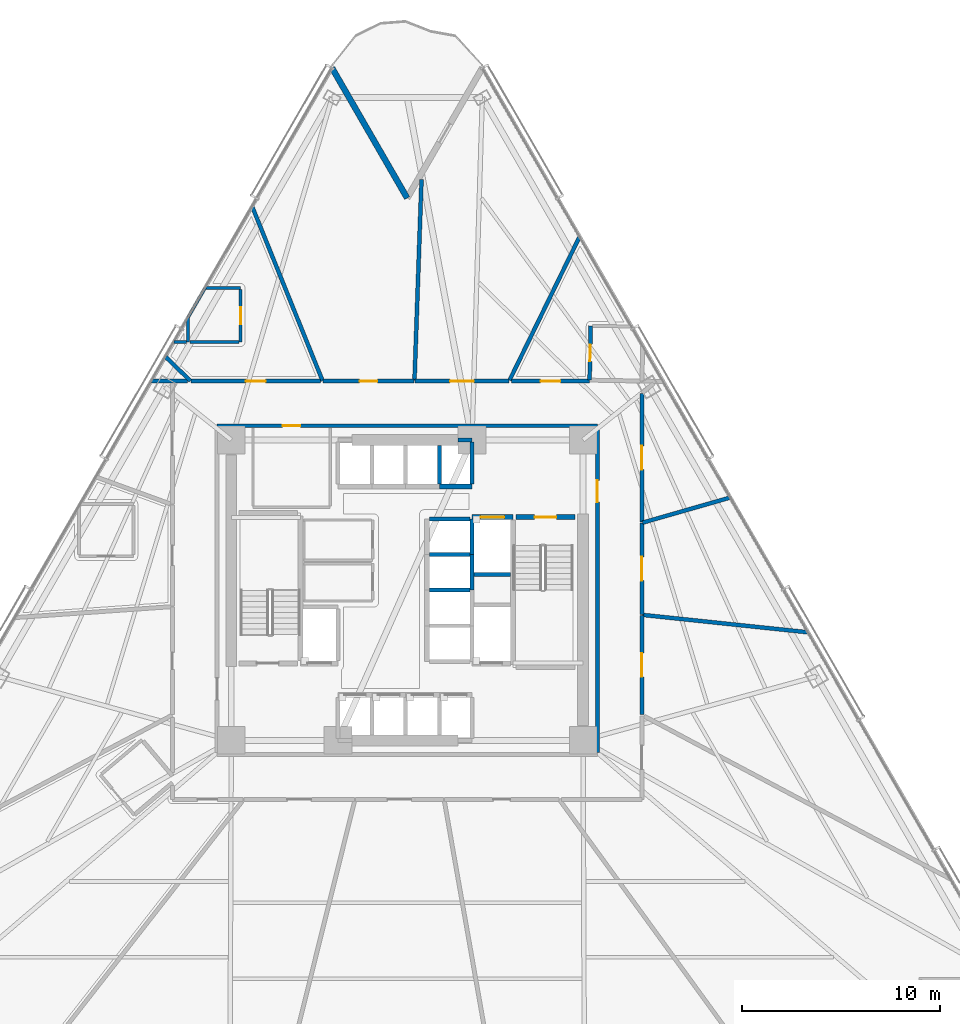
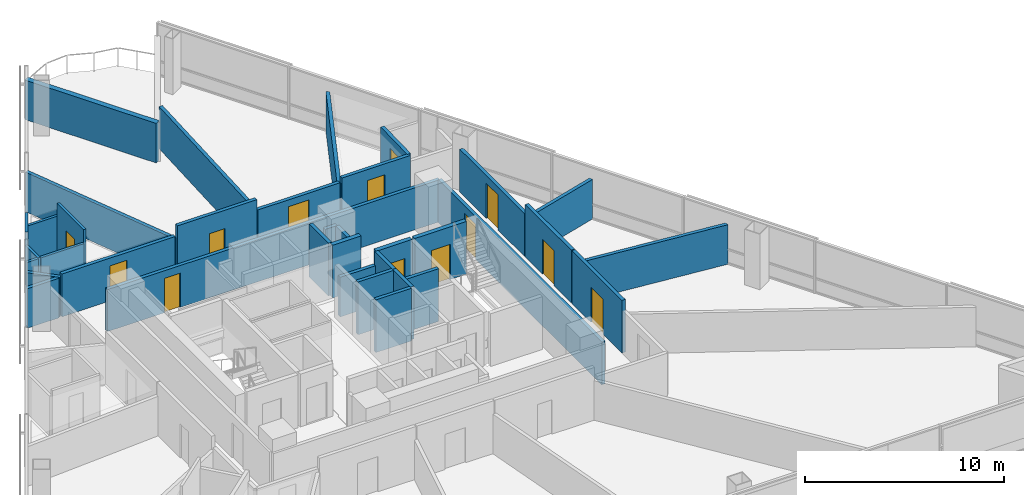
# One storey, part 9 of 16: 36 walls, 13 doors, 13 openings.
"""IFC4 building model written with IfcOpenShell, lengths in metres."""

from ifc_helpers import new_model, si_unit, direction, frame, frame_2d, origin, place, context, subcontext, project, spatial, rectangle, extrude, material, layer, layer_set, type_object, element, fill, save


model = new_model("IFC4")

# Units and contexts
model_context = context("Model", 3, precision=1e-05, world=origin(), true_north=direction((0.0, 1.0)))
body_context = subcontext(model_context, "Body", "Model", "MODEL_VIEW")
ifc_project = project(units=[si_unit("LENGTHUNIT", "METRE"), si_unit("AREAUNIT", "SQUARE_METRE"), si_unit("VOLUMEUNIT", "CUBIC_METRE"), si_unit("PLANEANGLEUNIT", "RADIAN"), si_unit("MASSUNIT", "GRAM", prefix="KILO")], contexts=[model_context])

# Site, building, storey
site_placement = place(None, origin())
site = spatial("IfcSite", under=ifc_project, at=site_placement, CompositionType="ELEMENT")
building_placement = place(site_placement, origin())
building = spatial("IfcBuilding", under=site, at=building_placement, Name="Tharavind Bronze Gate", CompositionType="ELEMENT")
storey_placement = place(building_placement, frame((0.0, 0.0, 45.449951171875)))
storey = spatial("IfcBuildingStorey", under=building, at=storey_placement, Name="L10", CompositionType="ELEMENT", Elevation=45.449951171875)

# Wall
ifc_material_1 = material(Name="Concrete C40/50", Category="concrete")
ifc_layer_1 = layer(ifc_material_1, 0.300048828125)
ifc_layer_set_1 = layer_set([ifc_layer_1], Name="Concrete C40/50")
wall_type_1 = type_object("IfcWallType", Name="EXTERIOR SPANDREL WALL 300", PredefinedType="STANDARD", material=ifc_layer_set_1)
wall_1_placement = place(storey_placement, frame((0.0, 19.83642578125, 0.0), z_axis=(0.0, 0.0, 1.0), x_axis=(-0.500005158081, 0.866022425744, 0.0)))
element("IfcWall", 1, at=wall_1_placement, inside=storey, type_object=wall_type_1, Name="L10 notch cheek wall 1B", PredefinedType="STANDARD", context=body_context, shape_type="SweptSolid", body=[
    extrude(rectangle(XDim=7.60009765625, YDim=0.300048828125, at=frame_2d((3.800048828125, 0.0))), origin(), (0.0, 0.0, 1.0), 2.420166015625),
])

# Wall, opening, door
ifc_material_2 = material(Name="Aerated Concrete Block", Category="concrete")
ifc_layer_2 = layer(ifc_material_2, 0.199951171875)
ifc_layer_set_2 = layer_set([ifc_layer_2], Name="Aerated Concrete Block")
wall_type_2 = type_object("IfcWallType", Name="FIRE RATED PARTITION 200", PredefinedType="PARTITIONING", material=ifc_layer_set_2)
wall_2_placement = place(storey_placement, frame((9.6201171875, 8.320068359375, 0.0), z_axis=(0.0, 0.0, 1.0), x_axis=(-1.0, 0.0, 0.0)))
wall_2 = element("IfcWall", 2, at=wall_2_placement, inside=storey, type_object=wall_type_2, Name="L10 north core corridor wall", PredefinedType="PARTITIONING", context=body_context, shape_type="SweptSolid", body=[
    extrude(rectangle(XDim=19.240234375, YDim=0.199951171875, at=frame_2d((9.6201171875, 0.0))), origin(), (0.0, 0.0, 1.0), 2.570068359375),
])
opening_1_placement = place(wall_2_placement, frame((15.02001953125, 0.0, 0.0)))
opening_1 = element("IfcOpeningElement", 3, at=opening_1_placement, cuts=wall_2, Name="Opening ID07", PredefinedType="OPENING", context=body_context, shape_type="SweptSolid", body=[
    extrude(rectangle(XDim=0.89990234375, YDim=2.10009765625, at=frame_2d((0.449951171875, 1.050048828125))), frame((0.0, 0.11009765625, 0.0), z_axis=(0.0, -1.0, 0.0), x_axis=(1.0, 0.0, 0.0)), (0.0, 0.0, 1.0), 0.219951171875),
])
ifc_material_3 = material(Name="Galvanised Fire Steel", Category="steel")
door_type_1 = type_object("IfcDoorType", Name="PLANT AND RISER FIRE DOOR 900X2100", OperationType="SINGLE_SWING_LEFT", PredefinedType="DOOR", material=ifc_material_3)
door_1_placement = place(opening_1_placement, frame((0.89990234375, 0.0, 0.0), z_axis=(0.0, 0.0, 1.0), x_axis=(-1.0, 0.0, 0.0)))
door_1 = element("IfcDoor", 4, at=door_1_placement, inside=storey, type_object=door_type_1, Name="L10 Electrical Switch Room fire door", OperationType="SINGLE_SWING_LEFT", OverallHeight=2.10009765625, OverallWidth=0.89990234375, PredefinedType="DOOR", context=body_context, shape_type="SweptSolid", body=[
    extrude(rectangle(XDim=0.89990234375, YDim=2.10009765625, at=frame_2d((0.449951171875, 1.050048828125))), frame((0.0, 0.02490234375, 0.0), z_axis=(0.0, -1.0, 0.0), x_axis=(1.0, 0.0, 0.0)), (0.0, 0.0, 1.0), 0.050048828125),
])
fill(opening_1, door_1)

wall_3_placement = place(storey_placement, frame((9.6201171875, -8.199951171875, 0.0), z_axis=(0.0, 0.0, 1.0), x_axis=(0.0, 1.0, 0.0)))
wall_3 = element("IfcWall", 5, at=wall_3_placement, inside=storey, type_object=wall_type_2, Name="L10 east core corridor wall", PredefinedType="PARTITIONING", context=body_context, shape_type="SweptSolid", body=[
    extrude(rectangle(XDim=16.39990234375, YDim=0.199951171875, at=frame_2d((8.199951171875, 0.0))), origin(), (0.0, 0.0, 1.0), 2.6201171875),
])
opening_2_placement = place(wall_3_placement, frame((12.64990234375, 0.0, 0.0)))
opening_2 = element("IfcOpeningElement", 6, at=opening_2_placement, cuts=wall_3, Name="Opening ID01", PredefinedType="OPENING", context=body_context, shape_type="SweptSolid", body=[
    extrude(rectangle(XDim=1.10009765625, YDim=2.14990234375, at=frame_2d((0.550048828125, 1.074951171875))), frame((0.0, 0.11009765625, 0.0), z_axis=(0.0, -1.0, 0.0), x_axis=(1.0, 0.0, 0.0)), (0.0, 0.0, 1.0), 0.219951171875),
])
ifc_material_4 = material(Name="Fire-Rated Steel", Category="steel")
door_type_2 = type_object("IfcDoorType", Name="STAIR CORE FIRE DOOR 1100X2150", OperationType="SINGLE_SWING_LEFT", PredefinedType="DOOR", material=ifc_material_4)
door_2_placement = place(opening_2_placement, frame((1.10009765625, 0.0, 0.0), z_axis=(0.0, 0.0, 1.0), x_axis=(-1.0, 0.0, 0.0)))
door_2 = element("IfcDoor", 7, at=door_2_placement, inside=storey, type_object=door_type_2, Name="L10 north east stair lobby fire door", OperationType="SINGLE_SWING_LEFT", OverallHeight=2.14990234375, OverallWidth=1.10009765625, PredefinedType="DOOR", context=body_context, shape_type="SweptSolid", body=[
    extrude(rectangle(XDim=1.10009765625, YDim=2.14990234375, at=frame_2d((0.550048828125, 1.074951171875))), frame((0.0, 0.02490234375, 0.0), z_axis=(0.0, -1.0, 0.0), x_axis=(1.0, 0.0, 0.0)), (0.0, 0.0, 1.0), 0.050048828125),
])
fill(opening_2, door_2)

wall_4_placement = place(storey_placement, frame((9.23046875, 10.627685546875, 0.0), z_axis=(0.0, 0.0, 1.0), x_axis=(0.017933538856, 0.999839181161, 0.0)))
wall_4 = element("IfcWall", 8, at=wall_4_placement, inside=storey, type_object=wall_type_2, Name="L10 En-Suite Bathroom partition", PredefinedType="PARTITIONING", context=body_context, shape_type="SweptSolid", body=[
    extrude(rectangle(XDim=2.75, YDim=0.199951171875, at=frame_2d((1.375, 0.0))), origin(), (0.0, 0.0, 1.0), 2.820068359375),
])
opening_3_placement = place(wall_4_placement, frame((0.949951171875, 0.0, 0.0)))
opening_3 = element("IfcOpeningElement", 9, at=opening_3_placement, cuts=wall_4, Name="Opening ID06", PredefinedType="OPENING", context=body_context, shape_type="SweptSolid", body=[
    extrude(rectangle(XDim=0.85009765625, YDim=2.10009765625, at=frame_2d((0.425048828125, 1.050048828125))), frame((0.0, 0.11009765625, 0.0), z_axis=(0.0, -1.0, 0.0), x_axis=(1.0, 0.0, 0.0)), (0.0, 0.0, 1.0), 0.219951171875),
])
ifc_material_5 = material(Name="Moisture-Resistant Timber", Category="wood")
door_type_3 = type_object("IfcDoorType", Name="BATHROOM PRIVACY DOOR 850X2100", OperationType="SINGLE_SWING_RIGHT", PredefinedType="DOOR", material=ifc_material_5)
door_3_placement = place(opening_3_placement, origin())
door_3 = element("IfcDoor", 10, at=door_3_placement, inside=storey, type_object=door_type_3, Name="L10 En-Suite Bathroom door", OperationType="SINGLE_SWING_RIGHT", OverallHeight=2.10009765625, OverallWidth=0.85009765625, PredefinedType="DOOR", context=body_context, shape_type="SweptSolid", body=[
    extrude(rectangle(XDim=0.85009765625, YDim=2.10009765625, at=frame_2d((0.425048828125, 1.050048828125))), frame((0.0, 0.02490234375, 0.0), z_axis=(0.0, -1.0, 0.0), x_axis=(1.0, 0.0, 0.0)), (0.0, 0.0, 1.0), 0.050048828125),
])
fill(opening_3, door_3)

# Wall
wall_5_placement = place(storey_placement, frame((16.346435546875, 4.687255859375, 0.0), z_axis=(0.0, 0.0, 1.0), x_axis=(-0.9612679101, -0.275615683539, 0.0)))
element("IfcWall", 11, at=wall_5_placement, inside=storey, type_object=wall_type_2, Name="L10 Hotel Guest Lounge partition", PredefinedType="PARTITIONING", context=body_context, shape_type="SweptSolid", body=[
    extrude(rectangle(XDim=4.61328125, YDim=0.199951171875, at=frame_2d((2.306640625, 0.0))), origin(), (0.0, 0.0, 1.0), 2.420166015625),
])

# Wall, opening, door
wall_6_placement = place(storey_placement, frame((11.8798828125, 3.439697265625, 0.0), z_axis=(0.0, 0.0, 1.0), x_axis=(0.0, 1.0, 0.0)))
wall_6 = element("IfcWall", 12, at=wall_6_placement, inside=storey, type_object=wall_type_2, Name="L10 Hotel Guest Lounge partition", PredefinedType="PARTITIONING", context=body_context, shape_type="SweptSolid", body=[
    extrude(rectangle(XDim=6.51708984375, YDim=0.199951171875, at=frame_2d((3.258544921875, 0.0))), origin(), (0.0, 0.0, 1.0), 2.6201171875),
])
opening_4_placement = place(wall_6_placement, frame((2.658935546875, 0.0, 0.0)))
opening_4 = element("IfcOpeningElement", 13, at=opening_4_placement, cuts=wall_6, Name="Opening ID05", PredefinedType="OPENING", context=body_context, shape_type="SweptSolid", body=[
    extrude(rectangle(XDim=1.199951171875, YDim=2.14990234375, at=frame_2d((0.60009765625, 1.074951171875))), frame((0.0, 0.11009765625, 0.0), z_axis=(0.0, -1.0, 0.0), x_axis=(1.0, 0.0, 0.0)), (0.0, 0.0, 1.0), 0.219951171875),
])
ifc_material_6 = material(Name="Acoustic Laminated Glass", Category="glass")
door_type_4 = type_object("IfcDoorType", Name="MEETING ROOM GLAZED DOOR 1200X2150", OperationType="SINGLE_SWING_LEFT", PredefinedType="DOOR", material=ifc_material_6)
door_4_placement = place(opening_4_placement, origin())
door_4 = element("IfcDoor", 14, at=door_4_placement, inside=storey, type_object=door_type_4, Name="L10 Hotel Guest Lounge door", OperationType="SINGLE_SWING_LEFT", OverallHeight=2.14990234375, OverallWidth=1.199951171875, PredefinedType="DOOR", context=body_context, shape_type="SweptSolid", body=[
    extrude(rectangle(XDim=1.199951171875, YDim=2.14990234375, at=frame_2d((0.60009765625, 1.074951171875))), frame((0.0, 0.02490234375, 0.0), z_axis=(0.0, -1.0, 0.0), x_axis=(1.0, 0.0, 0.0)), (0.0, 0.0, 1.0), 0.050048828125),
])
fill(opening_4, door_4)

# Wall
wall_7_placement = place(storey_placement, frame((5.177734375, 10.615966796875, 0.0), z_axis=(0.0, 0.0, 1.0), x_axis=(0.438357049566, 0.898800921838, 0.0)))
element("IfcWall", 15, at=wall_7_placement, inside=storey, type_object=wall_type_2, Name="L10 Hotel Guest Room partition", PredefinedType="PARTITIONING", context=body_context, shape_type="SweptSolid", body=[
    extrude(rectangle(XDim=8.09130859375, YDim=0.199951171875, at=frame_2d((4.045654296875, 0.0))), origin(), (0.0, 0.0, 1.0), 2.420166015625),
])

# Wall, opening, door
wall_8_placement = place(storey_placement, frame((9.2294921875, 10.580078125, 0.0), z_axis=(0.0, 0.0, 1.0), x_axis=(-1.0, 0.0, 0.0)))
wall_8 = element("IfcWall", 16, at=wall_8_placement, inside=storey, type_object=wall_type_2, Name="L10 Hotel Guest Room partition", PredefinedType="PARTITIONING", context=body_context, shape_type="SweptSolid", body=[
    extrude(rectangle(XDim=3.952392578125, YDim=0.199951171875, at=frame_2d((1.97607421875, 0.0))), origin(), (0.0, 0.0, 1.0), 2.820068359375),
])
opening_5_placement = place(wall_8_placement, frame((1.47607421875, 0.0, 0.0)))
opening_5 = element("IfcOpeningElement", 17, at=opening_5_placement, cuts=wall_8, Name="Opening ID03", PredefinedType="OPENING", context=body_context, shape_type="SweptSolid", body=[
    extrude(rectangle(XDim=1.0, YDim=2.14990234375, at=frame_2d((0.5, 1.074951171875))), frame((0.0, 0.11009765625, 0.0), z_axis=(0.0, -1.0, 0.0), x_axis=(1.0, 0.0, 0.0)), (0.0, 0.0, 1.0), 0.219951171875),
])
ifc_material_7 = material(Name="Solid Timber Veneer", Category="wood")
door_type_5 = type_object("IfcDoorType", Name="HOTEL SUITE ENTRANCE DOOR 1000X2150", OperationType="SINGLE_SWING_LEFT", PredefinedType="DOOR", material=ifc_material_7)
door_5_placement = place(opening_5_placement, origin())
door_5 = element("IfcDoor", 18, at=door_5_placement, inside=storey, type_object=door_type_5, Name="L10 Hotel Guest Room door", OperationType="SINGLE_SWING_LEFT", OverallHeight=2.14990234375, OverallWidth=1.0, PredefinedType="DOOR", context=body_context, shape_type="SweptSolid", body=[
    extrude(rectangle(XDim=1.0, YDim=2.14990234375, at=frame_2d((0.5, 1.074951171875))), frame((0.0, 0.02490234375, 0.0), z_axis=(0.0, -1.0, 0.0), x_axis=(1.0, 0.0, 0.0)), (0.0, 0.0, 1.0), 0.050048828125),
])
fill(opening_5, door_5)

wall_9_placement = place(storey_placement, frame((5.14453125, 10.580078125, 0.0), z_axis=(0.0, 0.0, 1.0), x_axis=(-1.0, 0.0, 0.0)))
wall_9 = element("IfcWall", 19, at=wall_9_placement, inside=storey, type_object=wall_type_2, Name="L10 Hotel Guest Lounge partition", PredefinedType="PARTITIONING", context=body_context, shape_type="SweptSolid", body=[
    extrude(rectangle(XDim=4.749267578125, YDim=0.199951171875, at=frame_2d((2.37451171875, 0.0))), origin(), (0.0, 0.0, 1.0), 2.570068359375),
])
opening_6_placement = place(wall_9_placement, frame((1.77490234375, 0.0, 0.0)))
opening_6 = element("IfcOpeningElement", 20, at=opening_6_placement, cuts=wall_9, Name="Opening ID05", PredefinedType="OPENING", context=body_context, shape_type="SweptSolid", body=[
    extrude(rectangle(XDim=1.199951171875, YDim=2.14990234375, at=frame_2d((0.60009765625, 1.074951171875))), frame((0.0, 0.11009765625, 0.0), z_axis=(0.0, -1.0, 0.0), x_axis=(1.0, 0.0, 0.0)), (0.0, 0.0, 1.0), 0.219951171875),
])
door_6_placement = place(opening_6_placement, origin())
door_6 = element("IfcDoor", 21, at=door_6_placement, inside=storey, type_object=door_type_4, Name="L10 Hotel Guest Lounge door", OperationType="SINGLE_SWING_LEFT", OverallHeight=2.14990234375, OverallWidth=1.199951171875, PredefinedType="DOOR", context=body_context, shape_type="SweptSolid", body=[
    extrude(rectangle(XDim=1.199951171875, YDim=2.14990234375, at=frame_2d((0.60009765625, 1.074951171875))), frame((0.0, 0.02490234375, 0.0), z_axis=(0.0, -1.0, 0.0), x_axis=(1.0, 0.0, 0.0)), (0.0, 0.0, 1.0), 0.050048828125),
])
fill(opening_6, door_6)

# Wall
wall_10_placement = place(storey_placement, frame((0.370361328125, 10.60595703125, 0.0), z_axis=(0.0, 0.0, 1.0), x_axis=(0.034905671556, 0.999390611369, 0.0)))
element("IfcWall", 22, at=wall_10_placement, inside=storey, type_object=wall_type_2, Name="L10 Hotel Guest Lounge partition", PredefinedType="PARTITIONING", context=body_context, shape_type="SweptSolid", body=[
    extrude(rectangle(XDim=10.18359375, YDim=0.199951171875, at=frame_2d((5.091796875, 0.0))), origin(), (0.0, 0.0, 1.0), 2.570068359375),
])

# Wall, opening, door
wall_11_placement = place(storey_placement, frame((0.34521484375, 10.580078125, 0.0), z_axis=(0.0, 0.0, 1.0), x_axis=(-1.0, 0.0, 0.0)))
wall_11 = element("IfcWall", 23, at=wall_11_placement, inside=storey, type_object=wall_type_2, Name="L10 Housekeeping & Linen Room partition", PredefinedType="PARTITIONING", context=body_context, shape_type="SweptSolid", body=[
    extrude(rectangle(XDim=4.60302734375, YDim=0.199951171875, at=frame_2d((2.301513671875, 0.0))), origin(), (0.0, 0.0, 1.0), 3.22509765625),
])
opening_7_placement = place(wall_11_placement, frame((1.85107421875, 0.0, 0.0)))
opening_7 = element("IfcOpeningElement", 24, at=opening_7_placement, cuts=wall_11, Name="Opening ID07", PredefinedType="OPENING", context=body_context, shape_type="SweptSolid", body=[
    extrude(rectangle(XDim=0.89990234375, YDim=2.10009765625, at=frame_2d((0.449951171875, 1.050048828125))), frame((0.0, 0.11009765625, 0.0), z_axis=(0.0, -1.0, 0.0), x_axis=(1.0, 0.0, 0.0)), (0.0, 0.0, 1.0), 0.219951171875),
])
door_7_placement = place(opening_7_placement, origin())
door_7 = element("IfcDoor", 25, at=door_7_placement, inside=storey, type_object=door_type_1, Name="L10 Housekeeping & Linen Room door", OperationType="SINGLE_SWING_LEFT", OverallHeight=2.10009765625, OverallWidth=0.89990234375, PredefinedType="DOOR", context=body_context, shape_type="SweptSolid", body=[
    extrude(rectangle(XDim=0.89990234375, YDim=2.10009765625, at=frame_2d((0.449951171875, 1.050048828125))), frame((0.0, 0.02490234375, 0.0), z_axis=(0.0, -1.0, 0.0), x_axis=(1.0, 0.0, 0.0)), (0.0, 0.0, 1.0), 0.050048828125),
])
fill(opening_7, door_7)

# Wall
wall_12_placement = place(storey_placement, frame((-4.281005859375, 10.595703125, 0.0), z_axis=(0.0, 0.0, 1.0), x_axis=(-0.374587987238, 0.927191371733, 0.0)))
element("IfcWall", 26, at=wall_12_placement, inside=storey, type_object=wall_type_2, Name="L10 Housekeeping & Linen Room partition", PredefinedType="PARTITIONING", context=body_context, shape_type="SweptSolid", body=[
    extrude(rectangle(XDim=9.498779296875, YDim=0.199951171875, at=frame_2d((4.74951171875, 0.0))), origin(), (0.0, 0.0, 1.0), 2.420166015625),
])

# Wall, opening, door
wall_13_placement = place(storey_placement, frame((-4.3876953125, 10.580078125, 0.0), z_axis=(0.0, 0.0, 1.0), x_axis=(-1.0, 0.0, 0.0)))
wall_13 = element("IfcWall", 27, at=wall_13_placement, inside=storey, type_object=wall_type_2, Name="L10 Hotel Deluxe Room partition", PredefinedType="PARTITIONING", context=body_context, shape_type="SweptSolid", body=[
    extrude(rectangle(XDim=6.55810546875, YDim=0.199951171875, at=frame_2d((3.279052734375, 0.0))), origin(), (0.0, 0.0, 1.0), 2.6201171875),
])
opening_8_placement = place(wall_13_placement, frame((2.779052734375, 0.0, 0.0)))
opening_8 = element("IfcOpeningElement", 28, at=opening_8_placement, cuts=wall_13, Name="Opening ID03", PredefinedType="OPENING", context=body_context, shape_type="SweptSolid", body=[
    extrude(rectangle(XDim=1.0, YDim=2.14990234375, at=frame_2d((0.5, 1.074951171875))), frame((0.0, 0.11009765625, 0.0), z_axis=(0.0, -1.0, 0.0), x_axis=(1.0, 0.0, 0.0)), (0.0, 0.0, 1.0), 0.219951171875),
])
door_8_placement = place(opening_8_placement, origin())
door_8 = element("IfcDoor", 29, at=door_8_placement, inside=storey, type_object=door_type_5, Name="L10 Hotel Deluxe Room door", OperationType="SINGLE_SWING_LEFT", OverallHeight=2.14990234375, OverallWidth=1.0, PredefinedType="DOOR", context=body_context, shape_type="SweptSolid", body=[
    extrude(rectangle(XDim=1.0, YDim=2.14990234375, at=frame_2d((0.5, 1.074951171875))), frame((0.0, 0.02490234375, 0.0), z_axis=(0.0, -1.0, 0.0), x_axis=(1.0, 0.0, 0.0)), (0.0, 0.0, 1.0), 0.050048828125),
])
fill(opening_8, door_8)

# Walls
wall_14_placement = place(storey_placement, frame((-10.963134765625, 10.5869140625, 0.0), z_axis=(0.0, 0.0, 1.0), x_axis=(-0.71930985927, 0.694689374006, 0.0)))
element("IfcWall", 30, at=wall_14_placement, inside=storey, type_object=wall_type_2, Name="L10 Hotel Deluxe Room partition", PredefinedType="PARTITIONING", context=body_context, shape_type="SweptSolid", body=[
    extrude(rectangle(XDim=1.745361328125, YDim=0.199951171875, at=frame_2d((0.87255859375, 0.0))), origin(), (0.0, 0.0, 1.0), 2.420166015625),
])
wall_15_placement = place(storey_placement, frame((-11.107177734375, 10.580078125, 0.0), z_axis=(0.0, 0.0, 1.0), x_axis=(-1.0, 0.0, 0.0)))
element("IfcWall", 31, at=wall_15_placement, inside=storey, type_object=wall_type_2, Name="L10 Hotel Guest Lounge partition", PredefinedType="PARTITIONING", context=body_context, shape_type="SweptSolid", body=[
    extrude(rectangle(XDim=1.8369140625, YDim=0.199951171875, at=frame_2d((0.91845703125, 0.0))), origin(), (0.0, 0.0, 1.0), 2.420166015625),
])

# Wall, opening, door
wall_16_placement = place(storey_placement, frame((11.8798828125, -6.3017578125, 0.0), z_axis=(0.0, 0.0, 1.0), x_axis=(0.0, 1.0, 0.0)))
wall_16 = element("IfcWall", 32, at=wall_16_placement, inside=storey, type_object=wall_type_2, Name="L10 Hotel Guest Lounge partition", PredefinedType="PARTITIONING", context=body_context, shape_type="SweptSolid", body=[
    extrude(rectangle(XDim=5.025390625, YDim=0.199951171875, at=frame_2d((2.5126953125, 0.0))), origin(), (0.0, 0.0, 1.0), 3.22509765625),
])
opening_9_placement = place(wall_16_placement, frame((1.9130859375, 0.0, 0.0)))
opening_9 = element("IfcOpeningElement", 33, at=opening_9_placement, cuts=wall_16, Name="Opening ID05", PredefinedType="OPENING", context=body_context, shape_type="SweptSolid", body=[
    extrude(rectangle(XDim=1.199951171875, YDim=2.14990234375, at=frame_2d((0.60009765625, 1.074951171875))), frame((0.0, 0.11009765625, 0.0), z_axis=(0.0, -1.0, 0.0), x_axis=(1.0, 0.0, 0.0)), (0.0, 0.0, 1.0), 0.219951171875),
])
door_9_placement = place(opening_9_placement, origin())
door_9 = element("IfcDoor", 34, at=door_9_placement, inside=storey, type_object=door_type_4, Name="L10 Hotel Guest Lounge door", OperationType="SINGLE_SWING_LEFT", OverallHeight=2.14990234375, OverallWidth=1.199951171875, PredefinedType="DOOR", context=body_context, shape_type="SweptSolid", body=[
    extrude(rectangle(XDim=1.199951171875, YDim=2.14990234375, at=frame_2d((0.60009765625, 1.074951171875))), frame((0.0, 0.02490234375, 0.0), z_axis=(0.0, -1.0, 0.0), x_axis=(1.0, 0.0, 0.0)), (0.0, 0.0, 1.0), 0.050048828125),
])
fill(opening_9, door_9)

# Wall
wall_17_placement = place(storey_placement, frame((11.90771484375, -1.25146484375, 0.0), z_axis=(0.0, 0.0, 1.0), x_axis=(0.994519920061, -0.104547255354, 0.0)))
element("IfcWall", 35, at=wall_17_placement, inside=storey, type_object=wall_type_2, Name="L10 Hotel Guest Lounge partition", PredefinedType="PARTITIONING", context=body_context, shape_type="SweptSolid", body=[
    extrude(rectangle(XDim=8.4091796875, YDim=0.199951171875, at=frame_2d((4.20458984375, 0.0))), origin(), (0.0, 0.0, 1.0), 2.420166015625),
])

# Wall, opening, door
wall_18_placement = place(storey_placement, frame((11.8798828125, -1.22607421875, 0.0), z_axis=(0.0, 0.0, 1.0), x_axis=(0.0, 1.0, 0.0)))
wall_18 = element("IfcWall", 36, at=wall_18_placement, inside=storey, type_object=wall_type_2, Name="L10 Reading Lounge partition", PredefinedType="PARTITIONING", context=body_context, shape_type="SweptSolid", body=[
    extrude(rectangle(XDim=4.61376953125, YDim=0.199951171875, at=frame_2d((2.306884765625, 0.0))), origin(), (0.0, 0.0, 1.0), 3.22509765625),
])
opening_10_placement = place(wall_18_placement, frame((1.70703125, 0.0, 0.0)))
opening_10 = element("IfcOpeningElement", 37, at=opening_10_placement, cuts=wall_18, Name="Opening ID05", PredefinedType="OPENING", context=body_context, shape_type="SweptSolid", body=[
    extrude(rectangle(XDim=1.199951171875, YDim=2.14990234375, at=frame_2d((0.60009765625, 1.074951171875))), frame((0.0, 0.11009765625, 0.0), z_axis=(0.0, -1.0, 0.0), x_axis=(1.0, 0.0, 0.0)), (0.0, 0.0, 1.0), 0.219951171875),
])
door_10_placement = place(opening_10_placement, origin())
door_10 = element("IfcDoor", 38, at=door_10_placement, inside=storey, type_object=door_type_4, Name="L10 Reading Lounge door", OperationType="SINGLE_SWING_LEFT", OverallHeight=2.14990234375, OverallWidth=1.199951171875, PredefinedType="DOOR", context=body_context, shape_type="SweptSolid", body=[
    extrude(rectangle(XDim=1.199951171875, YDim=2.14990234375, at=frame_2d((0.60009765625, 1.074951171875))), frame((0.0, 0.02490234375, 0.0), z_axis=(0.0, -1.0, 0.0), x_axis=(1.0, 0.0, 0.0)), (0.0, 0.0, 1.0), 0.050048828125),
])
fill(opening_10, door_10)

# Walls
ifc_material_8 = material(Name="Twin Stud Acoustic Gypsum", Category="gypsum")
ifc_layer_3 = layer(ifc_material_8, 0.14990234375)
ifc_layer_set_3 = layer_set([ifc_layer_3], Name="Twin Stud Acoustic Gypsum")
wall_type_3 = type_object("IfcWallType", Name="INTERIOR PARTITION WALL 150", PredefinedType="PARTITIONING", material=ifc_layer_set_3)
wall_19_placement = place(storey_placement, frame((-11.080078125, 12.550048828125, 0.0), z_axis=(0.0, 0.0, 1.0), x_axis=(0.0, 1.0, 0.0)))
element("IfcWall", 39, at=wall_19_placement, inside=storey, type_object=wall_type_3, Name="L10 En-Suite Bathroom partition", PredefinedType="PARTITIONING", context=body_context, shape_type="SweptSolid", body=[
    extrude(rectangle(XDim=1.258544921875, YDim=0.14990234375, at=frame_2d((0.62939453125, 0.0))), origin(), (0.0, 0.0, 1.0), 2.420166015625),
])
wall_20_placement = place(storey_placement, frame((-11.080078125, 13.80859375, 0.0), z_axis=(0.0, 0.0, 1.0), x_axis=(0.499996513224, 0.866027416866, 0.0)))
element("IfcWall", 40, at=wall_20_placement, inside=storey, type_object=wall_type_3, Name="L10 En-Suite Bathroom partition", PredefinedType="PARTITIONING", context=body_context, shape_type="SweptSolid", body=[
    extrude(rectangle(XDim=1.72216796875, YDim=0.14990234375, at=frame_2d((0.861083984375, 0.0))), origin(), (0.0, 0.0, 1.0), 3.22509765625),
])
wall_21_placement = place(storey_placement, frame((-10.218994140625, 15.300048828125, 0.0), z_axis=(0.0, 0.0, 1.0), x_axis=(1.0, 0.0, 0.0)))
element("IfcWall", 41, at=wall_21_placement, inside=storey, type_object=wall_type_3, Name="L10 En-Suite Bathroom partition", PredefinedType="PARTITIONING", context=body_context, shape_type="SweptSolid", body=[
    extrude(rectangle(XDim=1.788818359375, YDim=0.14990234375, at=frame_2d((0.89453125, 0.0))), origin(), (0.0, 0.0, 1.0), 2.420166015625),
])

# Wall, opening, door
wall_22_placement = place(storey_placement, frame((-8.43017578125, 15.219970703125, 0.0), z_axis=(0.0, 0.0, 1.0), x_axis=(0.0, -1.0, 0.0)))
wall_22 = element("IfcWall", 42, at=wall_22_placement, inside=storey, type_object=wall_type_3, Name="L10 En-Suite Bathroom partition", PredefinedType="PARTITIONING", context=body_context, shape_type="SweptSolid", body=[
    extrude(rectangle(XDim=2.669921875, YDim=0.14990234375, at=frame_2d((1.3349609375, 0.0))), origin(), (0.0, 0.0, 1.0), 3.22509765625),
])
opening_11_placement = place(wall_22_placement, frame((0.909912109375, 0.0, 0.0)))
opening_11 = element("IfcOpeningElement", 43, at=opening_11_placement, cuts=wall_22, Name="Opening ID06", PredefinedType="OPENING", context=body_context, shape_type="SweptSolid", body=[
    extrude(rectangle(XDim=0.85009765625, YDim=2.10009765625, at=frame_2d((0.425048828125, 1.050048828125))), frame((0.0, 0.084951171875, 0.0), z_axis=(0.0, -1.0, 0.0), x_axis=(1.0, 0.0, 0.0)), (0.0, 0.0, 1.0), 0.16990234375),
])
door_11_placement = place(opening_11_placement, origin())
door_11 = element("IfcDoor", 44, at=door_11_placement, inside=storey, type_object=door_type_3, Name="L10 En-Suite Bathroom door", OperationType="SINGLE_SWING_RIGHT", OverallHeight=2.10009765625, OverallWidth=0.85009765625, PredefinedType="DOOR", context=body_context, shape_type="SweptSolid", body=[
    extrude(rectangle(XDim=0.85009765625, YDim=2.10009765625, at=frame_2d((0.425048828125, 1.050048828125))), frame((0.0, 0.02490234375, 0.0), z_axis=(0.0, -1.0, 0.0), x_axis=(1.0, 0.0, 0.0)), (0.0, 0.0, 1.0), 0.050048828125),
])
fill(opening_11, door_11)

# Walls
wall_23_placement = place(storey_placement, frame((-8.51025390625, 12.550048828125, 0.0), z_axis=(0.0, 0.0, 1.0), x_axis=(-1.0, 0.0, 0.0)))
element("IfcWall", 45, at=wall_23_placement, inside=storey, type_object=wall_type_3, Name="L10 En-Suite Bathroom partition", PredefinedType="PARTITIONING", context=body_context, shape_type="SweptSolid", body=[
    extrude(rectangle(XDim=2.489990234375, YDim=0.14990234375, at=frame_2d((1.2451171875, 0.0))), origin(), (0.0, 0.0, 1.0), 2.420166015625),
])
wall_24_placement = place(storey_placement, frame((-11.16015625, 12.550048828125, 0.0), z_axis=(0.0, 0.0, 1.0), x_axis=(-1.0, 0.0, 0.0)))
element("IfcWall", 46, at=wall_24_placement, inside=storey, type_object=wall_type_3, Name="L10 En-Suite Bathroom partition", PredefinedType="PARTITIONING", context=body_context, shape_type="SweptSolid", body=[
    extrude(rectangle(XDim=0.646728515625, YDim=0.14990234375, at=frame_2d((0.3232421875, 0.0))), origin(), (0.0, 0.0, 1.0), 2.420166015625),
])

# Wall, opening, door
ifc_material_9 = material(Name="Concrete C50/60", Category="concrete")
ifc_layer_4 = layer(ifc_material_9, 0.25)
ifc_layer_set_4 = layer_set([ifc_layer_4], Name="Concrete C50/60")
wall_type_4 = type_object("IfcWallType", Name="RC CORE SHEAR WALL 250", PredefinedType="SHEAR", material=ifc_layer_set_4)
wall_25_placement = place(storey_placement, frame((5.5, 3.699951171875, 0.0), z_axis=(0.0, 0.0, 1.0), x_axis=(1.0, 0.0, 0.0)))
wall_25 = element("IfcWall", 47, at=wall_25_placement, inside=storey, type_object=wall_type_4, Name="L10 ST2 shaft north wall", PredefinedType="SHEAR", context=body_context, shape_type="SweptSolid", body=[
    extrude(rectangle(XDim=3.0, YDim=0.25, at=frame_2d((1.5, 0.0))), origin(), (0.0, 0.0, 1.0), 3.22509765625),
])
opening_12_placement = place(wall_25_placement, frame((0.949951171875, 0.0, 0.0)))
opening_12 = element("IfcOpeningElement", 48, at=opening_12_placement, cuts=wall_25, Name="Opening ID01", PredefinedType="OPENING", context=body_context, shape_type="SweptSolid", body=[
    extrude(rectangle(XDim=1.10009765625, YDim=2.14990234375, at=frame_2d((0.550048828125, 1.074951171875))), frame((0.0, 0.135, 0.0), z_axis=(0.0, -1.0, 0.0), x_axis=(1.0, 0.0, 0.0)), (0.0, 0.0, 1.0), 0.27),
])
door_12_placement = place(opening_12_placement, frame((1.10009765625, 0.0, 0.0), z_axis=(0.0, 0.0, 1.0), x_axis=(-1.0, 0.0, 0.0)))
door_12 = element("IfcDoor", 49, at=door_12_placement, inside=storey, type_object=door_type_2, Name="L10 exit stair ST2 fire door", OperationType="SINGLE_SWING_LEFT", OverallHeight=2.14990234375, OverallWidth=1.10009765625, PredefinedType="DOOR", context=body_context, shape_type="SweptSolid", body=[
    extrude(rectangle(XDim=1.10009765625, YDim=2.14990234375, at=frame_2d((0.550048828125, 1.074951171875))), frame((0.0, 0.02490234375, 0.0), z_axis=(0.0, -1.0, 0.0), x_axis=(1.0, 0.0, 0.0)), (0.0, 0.0, 1.0), 0.050048828125),
])
fill(opening_12, door_12)

# Wall
wall_26_placement = place(storey_placement, frame((1.637451171875, 5.25, 0.0), z_axis=(0.0, 0.0, 1.0), x_axis=(1.0, 0.0, 0.0)))
element("IfcWall", 50, at=wall_26_placement, inside=storey, type_object=wall_type_4, Name="L10 lift PL8 shaft front wall", PredefinedType="SHEAR", context=body_context, shape_type="SweptSolid", body=[
    extrude(rectangle(XDim=1.642578125, YDim=0.25, at=frame_2d((0.8212890625, 0.0))), origin(), (0.0, 0.0, 1.0), 3.22509765625),
])

# Wall, opening, door
wall_27_placement = place(storey_placement, frame((3.280029296875, 3.699951171875, 0.0), z_axis=(0.0, 0.0, 1.0), x_axis=(1.0, 0.0, 0.0)))
wall_27 = element("IfcWall", 51, at=wall_27_placement, inside=storey, type_object=wall_type_4, Name="L10 lift FFL2 shaft front wall", PredefinedType="SHEAR", context=body_context, shape_type="SweptSolid", body=[
    extrude(rectangle(XDim=2.070068359375, YDim=0.25, at=frame_2d((1.03515625, 0.0))), origin(), (0.0, 0.0, 1.0), 3.22509765625),
])
opening_13_placement = place(wall_27_placement, frame((0.43505859375, 0.0, 0.0)))
opening_13 = element("IfcOpeningElement", 52, at=opening_13_placement, cuts=wall_27, Name="Opening LD02", PredefinedType="OPENING", context=body_context, shape_type="SweptSolid", body=[
    extrude(rectangle(XDim=1.199951171875, YDim=2.199951171875, at=frame_2d((0.60009765625, 1.10009765625))), frame((0.0, 0.135, 0.0), z_axis=(0.0, -1.0, 0.0), x_axis=(1.0, 0.0, 0.0)), (0.0, 0.0, 1.0), 0.27),
])
ifc_material_10 = material(Name="Brushed Stainless Steel", Category="steel")
door_type_6 = type_object("IfcDoorType", Name="FIREFIGHTING LIFT LANDING DOOR 1200X2200", OperationType="SLIDING_TO_RIGHT", PredefinedType="DOOR", material=ifc_material_10)
door_13_placement = place(opening_13_placement, origin())
door_13 = element("IfcDoor", 53, at=door_13_placement, inside=storey, type_object=door_type_6, Name="L10 lift FFL2 sliding landing door", OperationType="SLIDING_TO_RIGHT", OverallHeight=2.199951171875, OverallWidth=1.199951171875, PredefinedType="DOOR", context=body_context, shape_type="SweptSolid", body=[
    extrude(rectangle(XDim=1.199951171875, YDim=2.199951171875, at=frame_2d((0.60009765625, 1.10009765625))), frame((0.0, 0.02490234375, 0.0), z_axis=(0.0, -1.0, 0.0), x_axis=(1.0, 0.0, 0.0)), (0.0, 0.0, 1.0), 0.050048828125),
])
fill(opening_13, door_13)

# Walls
ifc_layer_5 = layer(ifc_material_1, 0.199951171875)
ifc_layer_set_5 = layer_set([ifc_layer_5], Name="Concrete C40/50")
wall_type_5 = type_object("IfcWallType", Name="SHAFT ENCLOSURE WALL 200", PredefinedType="PARTITIONING", material=ifc_layer_set_5)
wall_28_placement = place(storey_placement, frame((1.637451171875, 5.3798828125, 0.0), z_axis=(0.0, 0.0, 1.0), x_axis=(0.0, 1.0, 0.0)))
element("IfcWall", 54, at=wall_28_placement, inside=storey, type_object=wall_type_5, Name="L10 lift PL7 shaft E enclosure wall", PredefinedType="PARTITIONING", context=body_context, shape_type="SweptSolid", body=[
    extrude(rectangle(XDim=1.940185546875, YDim=0.199951171875, at=frame_2d((0.97021484375, 0.0))), origin(), (0.0, 0.0, 1.0), 3.22509765625),
])
wall_29_placement = place(storey_placement, frame((2.580078125, 7.60009765625, 0.0), z_axis=(0.0, 0.0, 1.0), x_axis=(1.0, 0.0, 0.0)))
element("IfcWall", 55, at=wall_29_placement, inside=storey, type_object=wall_type_5, Name="L10 lift PL8 shaft N enclosure wall", PredefinedType="PARTITIONING", context=body_context, shape_type="SweptSolid", body=[
    extrude(rectangle(XDim=0.699951171875, YDim=0.199951171875, at=frame_2d((0.35009765625, 0.0))), origin(), (0.0, 0.0, 1.0), 2.420166015625),
])
wall_30_placement = place(storey_placement, frame((3.280029296875, 5.3798828125, 0.0), z_axis=(0.0, 0.0, 1.0), x_axis=(0.0, 1.0, 0.0)))
element("IfcWall", 56, at=wall_30_placement, inside=storey, type_object=wall_type_5, Name="L10 lift PL8 shaft E enclosure wall", PredefinedType="PARTITIONING", context=body_context, shape_type="SweptSolid", body=[
    extrude(rectangle(XDim=2.115234375, YDim=0.199951171875, at=frame_2d((1.0576171875, 0.0))), origin(), (0.0, 0.0, 1.0), 2.420166015625),
])
wall_31_placement = place(storey_placement, frame((1.1298828125, 0.0, 0.0), z_axis=(0.0, 0.0, 1.0), x_axis=(1.0, 0.0, 0.0)))
element("IfcWall", 57, at=wall_31_placement, inside=storey, type_object=wall_type_5, Name="L10 lift PL10 shaft N enclosure wall", PredefinedType="PARTITIONING", context=body_context, shape_type="SweptSolid", body=[
    extrude(rectangle(XDim=2.045166015625, YDim=0.199951171875, at=frame_2d((1.0224609375, 0.0))), origin(), (0.0, 0.0, 1.0), 3.22509765625),
])
wall_32_placement = place(storey_placement, frame((3.280029296875, 0.0, 0.0), z_axis=(0.0, 0.0, 1.0), x_axis=(0.0, 1.0, 0.0)))
element("IfcWall", 58, at=wall_32_placement, inside=storey, type_object=wall_type_5, Name="L10 lift PL11 shaft E enclosure wall", PredefinedType="PARTITIONING", context=body_context, shape_type="SweptSolid", body=[
    extrude(rectangle(XDim=1.800048828125, YDim=0.199951171875, at=frame_2d((0.89990234375, 0.0))), origin(), (0.0, 0.0, 1.0), 3.22509765625),
])
wall_33_placement = place(storey_placement, frame((1.1298828125, 1.800048828125, 0.0), z_axis=(0.0, 0.0, 1.0), x_axis=(1.0, 0.0, 0.0)))
element("IfcWall", 59, at=wall_33_placement, inside=storey, type_object=wall_type_5, Name="L10 lift PL11 shaft N enclosure wall", PredefinedType="PARTITIONING", context=body_context, shape_type="SweptSolid", body=[
    extrude(rectangle(XDim=2.045166015625, YDim=0.199951171875, at=frame_2d((1.0224609375, 0.0))), origin(), (0.0, 0.0, 1.0), 3.22509765625),
])
wall_34_placement = place(storey_placement, frame((3.280029296875, 1.800048828125, 0.0), z_axis=(0.0, 0.0, 1.0), x_axis=(0.0, 1.0, 0.0)))
element("IfcWall", 60, at=wall_34_placement, inside=storey, type_object=wall_type_5, Name="L10 lift PL12 shaft E enclosure wall", PredefinedType="PARTITIONING", context=body_context, shape_type="SweptSolid", body=[
    extrude(rectangle(XDim=1.800048828125, YDim=0.199951171875, at=frame_2d((0.89990234375, 0.0))), origin(), (0.0, 0.0, 1.0), 3.22509765625),
])
wall_35_placement = place(storey_placement, frame((1.1298828125, 3.60009765625, 0.0), z_axis=(0.0, 0.0, 1.0), x_axis=(1.0, 0.0, 0.0)))
element("IfcWall", 61, at=wall_35_placement, inside=storey, type_object=wall_type_5, Name="L10 lift PL12 shaft N enclosure wall", PredefinedType="PARTITIONING", context=body_context, shape_type="SweptSolid", body=[
    extrude(rectangle(XDim=2.045166015625, YDim=0.199951171875, at=frame_2d((1.0224609375, 0.0))), origin(), (0.0, 0.0, 1.0), 2.420166015625),
])
wall_36_placement = place(storey_placement, frame((3.385009765625, 0.800048828125, 0.0), z_axis=(0.0, 0.0, 1.0), x_axis=(1.0, 0.0, 0.0)))
element("IfcWall", 62, at=wall_36_placement, inside=storey, type_object=wall_type_5, Name="L10 lift FFL2 shaft S enclosure wall", PredefinedType="PARTITIONING", context=body_context, shape_type="SweptSolid", body=[
    extrude(rectangle(XDim=1.8349609375, YDim=0.199951171875, at=frame_2d((0.91748046875, 0.0))), origin(), (0.0, 0.0, 1.0), 3.22509765625),
])

save(model, "model.ifc")
